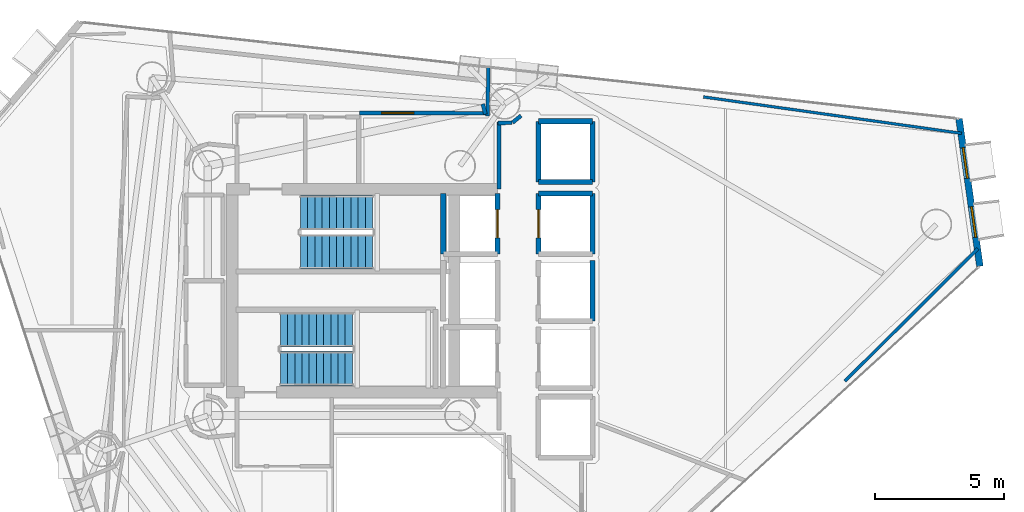
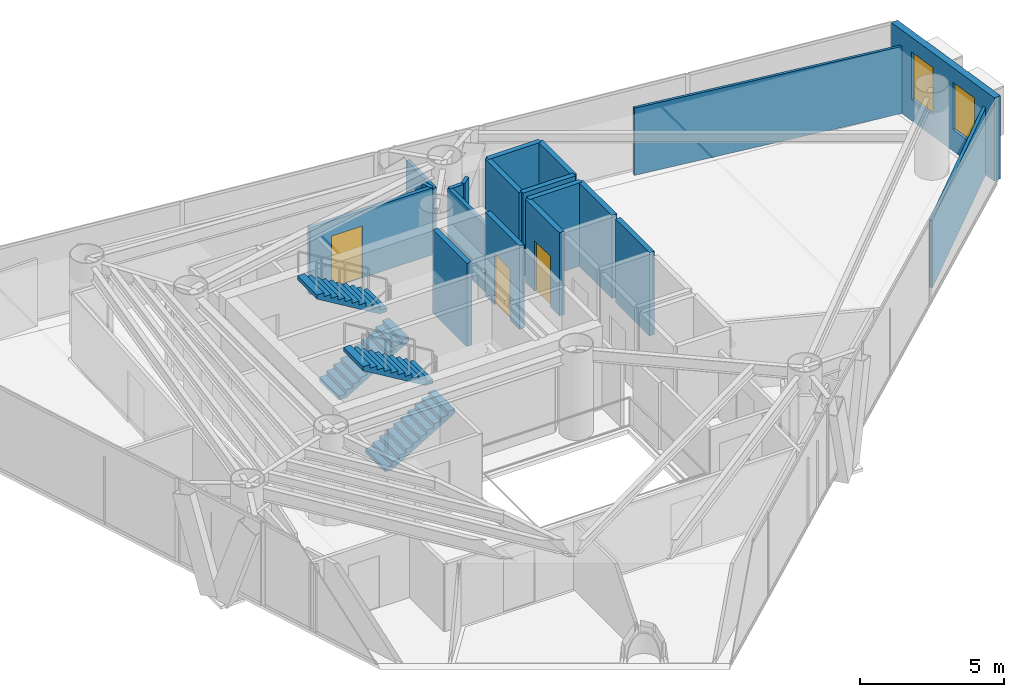
# One storey, part 21 of 24: 19 walls, 4 stair flights, 3 doors, 2 windows, 5 openings, 2 elements without a shape of their own.
"""IFC4 building model written with IfcOpenShell, lengths in metres."""

import ifcopenshell
import ifcopenshell.guid

model = None  # the IFC model being written
_history = None  # IfcOwnerHistory: only IFC2X3 demands one
_inside = {}  # id of a spatial element -> (the spatial element, [elements in it])
_under = {}  # id of a project, library or spatial element -> (it, [spatial elements below it])
_declared = {}  # id of a project -> (the project, [libraries it declares])
_typed = {}  # id of a type object -> (the type object, [elements of that type])
_made_of = {}  # id of a material, layer set ... -> (it, [elements and type objects made of it])


def new_model(schema):
    """Start an empty IFC model of exactly this schema.

    Asked for "IFC4X3", IfcOpenShell would pick the latest addendum, in which some entities
    have other attributes; the version numbers below select the first issue.
    IFC2X3 requires an IfcOwnerHistory on every rooted entity: one is made here for all.
    """
    global model, _history
    if schema == "IFC4X3":
        model = ifcopenshell.file(schema_version=(4, 3, 0, 0))
    else:
        model = ifcopenshell.file(schema=schema)
    _inside.clear()
    _under.clear()
    _declared.clear()
    _typed.clear()
    _made_of.clear()
    _history = None
    if model.schema == "IFC2X3":
        org = make("IfcOrganization", Name="unknown")
        user = make(
            "IfcPersonAndOrganization",
            ThePerson=make("IfcPerson", FamilyName="unknown"),
            TheOrganization=org,
        )
        app = make(
            "IfcApplication",
            ApplicationDeveloper=org,
            Version="unknown",
            ApplicationFullName="unknown",
            ApplicationIdentifier="unknown",
        )
        _history = make(
            "IfcOwnerHistory",
            OwningUser=user,
            OwningApplication=app,
            ChangeAction="ADDED",
            CreationDate=0,
        )
    return model


def make(cls, **values):
    """One entity of the class cls with the attributes given. An attribute that is None is left unset."""
    return model.create_entity(
        cls, **{name: value for name, value in values.items() if value is not None}
    )


def rooted(cls, **values):
    """An entity with a GlobalId (a new one), such as an element, a storey or a relation."""
    return make(cls, GlobalId=ifcopenshell.guid.new(), OwnerHistory=_history, **values)


def si_unit(unit_type, name, prefix=None):
    """IfcSIUnit, for example si_unit("LENGTHUNIT", "METRE", prefix="MILLI")."""
    return make("IfcSIUnit", UnitType=unit_type, Prefix=prefix, Name=name)


def assignment(units):
    """IfcUnitAssignment: the units of a project."""
    return None if units is None else make("IfcUnitAssignment", Units=units)


def point(xyz):
    """IfcCartesianPoint."""
    return None if xyz is None else make("IfcCartesianPoint", Coordinates=xyz)


def direction(xyz):
    """IfcDirection."""
    return None if xyz is None else make("IfcDirection", DirectionRatios=xyz)


def frame(location, z_axis=None, x_axis=None):
    """IfcAxis2Placement3D, a coordinate frame: its origin and axes. An axis left out is left unset."""
    return make(
        "IfcAxis2Placement3D",
        Location=point(location),
        Axis=direction(z_axis),
        RefDirection=direction(x_axis),
    )


def frame_2d(location, x_axis=None):
    """IfcAxis2Placement2D, a coordinate frame in the plane: its origin and x axis."""
    return make(
        "IfcAxis2Placement2D", Location=point(location), RefDirection=direction(x_axis)
    )


def origin():
    """The frame at (0, 0, 0) with its axes left unset."""
    return frame((0.0, 0.0, 0.0))


def place(relative_to, where):
    """IfcLocalPlacement: puts the frame where relative to a parent placement (None: the world)."""
    return make(
        "IfcLocalPlacement", PlacementRelTo=relative_to, RelativePlacement=where
    )


def context(
    kind, dimensions, precision=None, world=None, true_north=None, identifier=None
):
    """IfcGeometricRepresentationContext, for example the 3D "Model" context."""
    return make(
        "IfcGeometricRepresentationContext",
        ContextIdentifier=identifier,
        ContextType=kind,
        CoordinateSpaceDimension=dimensions,
        Precision=precision,
        WorldCoordinateSystem=world,
        TrueNorth=true_north,
    )


def subcontext(parent, identifier, kind, view, scale=None):
    """IfcGeometricRepresentationSubContext, for example "Body" below "Model"."""
    return make(
        "IfcGeometricRepresentationSubContext",
        ContextIdentifier=identifier,
        ContextType=kind,
        ParentContext=parent,
        TargetScale=scale,
        TargetView=view,
    )


def project(units=None, contexts=None):
    """IfcProject with its units and contexts."""
    return rooted(
        "IfcProject",
        Name="project",
        RepresentationContexts=contexts,
        UnitsInContext=assignment(units),
    )


def spatial(cls, under=None, at=None, **own):
    """A site, building, storey or space (cls), placed at a placement, below another one or the project."""
    s = rooted(cls, ObjectPlacement=at, **own)
    if under is not None:
        _under.setdefault(under.id(), (under, []))[1].append(s)
    return s


def polyline(points):
    """IfcPolyline through the points."""
    return make("IfcPolyline", Points=[point(p) for p in points])


def profile(cls, at=None, kind="AREA", **sizes):
    """A parametric profile (cls). Its sizes go by their IFC names, for example OverallWidth=200.0."""
    return make(cls, ProfileType=kind, Position=at, **sizes)


def rectangle(**sizes):
    """IfcRectangleProfileDef."""
    return profile("IfcRectangleProfileDef", **sizes)


def outline(outer, holes=None, kind="AREA"):
    """IfcArbitraryClosedProfileDef: a profile drawn as a closed curve; with holes, ...WithVoids."""
    if holes is None:
        return make("IfcArbitraryClosedProfileDef", ProfileType=kind, OuterCurve=outer)
    return make(
        "IfcArbitraryProfileDefWithVoids",
        ProfileType=kind,
        OuterCurve=outer,
        InnerCurves=holes,
    )


def extrude(swept, where, along, depth):
    """IfcExtrudedAreaSolid: the profile swept, set in the frame where, extruded along a direction by depth."""
    return make(
        "IfcExtrudedAreaSolid",
        SweptArea=swept,
        Position=where,
        ExtrudedDirection=direction(along),
        Depth=depth,
    )


def shape(context_of_items, identifier, shape_type, items):
    """IfcShapeRepresentation: the items that make up one representation, for example the "Body"."""
    return make(
        "IfcShapeRepresentation",
        ContextOfItems=context_of_items,
        RepresentationIdentifier=identifier,
        RepresentationType=shape_type,
        Items=items,
    )


def material(Name=None, Category=None):
    """IfcMaterial."""
    return make("IfcMaterial", Name=Name, Category=Category)


def layer(
    of_material, thickness, ventilated=None, Name=None, Category=None, Priority=None
):
    """IfcMaterialLayer: one layer of a wall or slab, of a material (None: an air gap)."""
    return make(
        "IfcMaterialLayer",
        Material=of_material,
        LayerThickness=thickness,
        IsVentilated=ventilated,
        Name=Name,
        Category=Category,
        Priority=Priority,
    )


def layer_set(layers, Name=None):
    """IfcMaterialLayerSet."""
    return make("IfcMaterialLayerSet", MaterialLayers=layers, LayerSetName=Name)


def made_of(thing, what):
    """Note that an element or type object is made of a material, layer set ...; save() writes the relation."""
    if what is not None:
        _made_of.setdefault(what.id(), (what, []))[1].append(thing)
    return thing


def type_object(cls, material=None, **own):
    """A type object (cls), such as IfcWallType, which elements share."""
    return made_of(rooted(cls, **own), material)


def element(
    cls,
    number,
    at=None,
    inside=None,
    cuts=None,
    type_object=None,
    material=None,
    context=None,
    identifier="Body",
    shape_type=None,
    held_by="IfcProductDefinitionShape",
    body=None,
    shapes=None,
    **own,
):
    """One element of the class cls, such as IfcWall. Its Tag is "e" and its number.

    at: its placement. inside: the storey or other place that contains it. cuts: it is an
    opening in that element (IfcRelVoidsElement). A single representation is given by context,
    identifier, shape_type and body (its items); several are given by shapes. held_by: the class
    of the entity that holds the representations. save() writes the other relations.
    """
    e = rooted(cls, Tag="e%d" % number, ObjectPlacement=at, **own)
    if body is not None:
        shapes = [shape(context, identifier, shape_type, body)]
    if shapes is not None:
        e.Representation = make(held_by, Representations=shapes)
    if inside is not None:
        _inside.setdefault(inside.id(), (inside, []))[1].append(e)
    if cuts is not None:
        rooted(
            "IfcRelVoidsElement", RelatingBuildingElement=cuts, RelatedOpeningElement=e
        )
    if type_object is not None:
        _typed.setdefault(type_object.id(), (type_object, []))[1].append(e)
    return made_of(e, material)


def fill(opening, filler):
    """IfcRelFillsElement: the door or window that sits in an opening."""
    return rooted(
        "IfcRelFillsElement",
        RelatingOpeningElement=opening,
        RelatedBuildingElement=filler,
    )


def aggregate(whole, parts):
    """IfcRelAggregates: a whole, such as a stair, and the parts it consists of."""
    return rooted("IfcRelAggregates", RelatingObject=whole, RelatedObjects=parts)


def save(model, path):
    """Write the relations noted so far, then the file.

    IfcRelAggregates (storeys below a building ...), IfcRelContainedInSpatialStructure (elements
    in a storey), IfcRelDefinesByType, IfcRelAssociatesMaterial and IfcRelDeclares: one each for
    every whole, place, type object, material and project.
    """
    for whole, parts in _under.values():
        aggregate(whole, parts)
    for where, things in _inside.values():
        rooted(
            "IfcRelContainedInSpatialStructure",
            RelatedElements=things,
            RelatingStructure=where,
        )
    for kind, things in _typed.values():
        rooted("IfcRelDefinesByType", RelatedObjects=things, RelatingType=kind)
    for what, things in _made_of.values():
        rooted("IfcRelAssociatesMaterial", RelatedObjects=things, RelatingMaterial=what)
    for by, libraries in _declared.values():
        rooted("IfcRelDeclares", RelatingContext=by, RelatedDefinitions=libraries)
    model.write(path)


model = new_model("IFC4")

# Units and contexts
model_context = context("Model", 3, precision=1e-05, world=origin(), true_north=direction((0.0, 1.0)))
body_context = subcontext(model_context, "Body", "Model", "MODEL_VIEW")
ifc_project = project(units=[si_unit("LENGTHUNIT", "METRE"), si_unit("AREAUNIT", "SQUARE_METRE"), si_unit("VOLUMEUNIT", "CUBIC_METRE"), si_unit("PLANEANGLEUNIT", "RADIAN"), si_unit("MASSUNIT", "GRAM", prefix="KILO")], contexts=[model_context])

# Site, building, storey
site_placement = place(None, origin())
site = spatial("IfcSite", under=ifc_project, at=site_placement, CompositionType="ELEMENT")
building_placement = place(site_placement, origin())
building = spatial("IfcBuilding", under=site, at=building_placement, Name="Qianvela Tower", CompositionType="ELEMENT")
storey_placement = place(building_placement, frame((0.0, 0.0, 222.5)))
storey = spatial("IfcBuildingStorey", under=building, at=storey_placement, Name="L57", CompositionType="ELEMENT", Elevation=222.5)

# Wall, openings, windows
ifc_material_1 = material(Name="Terracotta Cladding on Concrete C40", Category="masonry")
ifc_layer_1 = layer(ifc_material_1, 0.260009765625)
ifc_layer_set_1 = layer_set([ifc_layer_1], Name="Terracotta Cladding on Concrete C40")
wall_type_1 = type_object("IfcWallType", Name="TERRACOTTA-WALL-260", PredefinedType="SOLIDWALL", material=ifc_layer_set_1)
wall_1_placement = place(storey_placement, frame((58.59033203125, 29.651611328125, 0.0), z_axis=(0.0, 0.0, 1.0), x_axis=(-0.140126396411, 0.990133623825, 0.0)))
wall_1 = element("IfcWall", 1, at=wall_1_placement, inside=storey, type_object=wall_type_1, Name="L57 Terracotta Chamfer Facet Wall 1", PredefinedType="SOLIDWALL", context=body_context, shape_type="SweptSolid", body=[
    extrude(rectangle(XDim=5.781005859375, YDim=0.260009765625, at=frame_2d((2.890625, 0.0))), origin(), (0.0, 0.0, 1.0), 3.52001953125),
])
opening_1_placement = place(wall_1_placement, frame((1.13427734375, 0.0, 0.89990234375)))
opening_1 = element("IfcOpeningElement", 2, at=opening_1_placement, cuts=wall_1, Name="Opening W-03", PredefinedType="OPENING", context=body_context, shape_type="SweptSolid", body=[
    extrude(rectangle(XDim=1.199951171875, YDim=2.0, at=frame_2d((0.60009765625, 1.0))), frame((0.0, 0.139892578125, 0.0), z_axis=(0.0, -1.0, 0.0), x_axis=(1.0, 0.0, 0.0)), (0.0, 0.0, 1.0), 0.280029296875),
])
opening_2_placement = place(wall_1_placement, frame((3.446533203125, 0.0, 0.89990234375)))
opening_2 = element("IfcOpeningElement", 3, at=opening_2_placement, cuts=wall_1, Name="Opening W-03", PredefinedType="OPENING", context=body_context, shape_type="SweptSolid", body=[
    extrude(rectangle(XDim=1.199951171875, YDim=2.0, at=frame_2d((0.60009765625, 1.0))), frame((0.0, 0.139892578125, 0.0), z_axis=(0.0, -1.0, 0.0), x_axis=(1.0, 0.0, 0.0)), (0.0, 0.0, 1.0), 0.280029296875),
])
ifc_material_2 = material(Name="Thermally Broken Aluminium and Low-E Glass", Category="aluminium")
window_type = type_object("IfcWindowType", Name="WIN-TC-1200x2000", PartitioningType="SINGLE_PANEL", PredefinedType="WINDOW", material=ifc_material_2)
window_1_placement = place(opening_1_placement, origin())
window_1 = element("IfcWindow", 4, at=window_1_placement, inside=storey, type_object=window_type, Name="L57 Chamfer Facet Window 1.1", OverallHeight=2.0, OverallWidth=1.199951171875, PartitioningType="SINGLE_PANEL", PredefinedType="WINDOW", context=body_context, shape_type="SweptSolid", body=[
    extrude(rectangle(XDim=1.199951171875, YDim=2.0, at=frame_2d((0.60009765625, 1.0))), frame((0.0, 0.030029296875, 0.0), z_axis=(0.0, -1.0, 0.0), x_axis=(1.0, 0.0, 0.0)), (0.0, 0.0, 1.0), 0.06005859375),
])
fill(opening_1, window_1)
window_2_placement = place(opening_2_placement, origin())
window_2 = element("IfcWindow", 5, at=window_2_placement, inside=storey, type_object=window_type, Name="L57 Chamfer Facet Window 1.2", OverallHeight=2.0, OverallWidth=1.199951171875, PartitioningType="SINGLE_PANEL", PredefinedType="WINDOW", context=body_context, shape_type="SweptSolid", body=[
    extrude(rectangle(XDim=1.199951171875, YDim=2.0, at=frame_2d((0.60009765625, 1.0))), frame((0.0, 0.030029296875, 0.0), z_axis=(0.0, -1.0, 0.0), x_axis=(1.0, 0.0, 0.0)), (0.0, 0.0, 1.0), 0.06005859375),
])
fill(opening_2, window_2)

# Walls
ifc_material_3 = material(Name="Fire-Rated Acoustic Gypsum Board")
ifc_layer_2 = layer(ifc_material_3, 0.14990234375)
ifc_layer_set_2 = layer_set([ifc_layer_2], Name="Fire-Rated Acoustic Gypsum Board")
wall_type_2 = type_object("IfcWallType", Name="WT-CORR-150", PredefinedType="PARTITIONING", material=ifc_layer_set_2)
wall_2_placement = place(storey_placement, frame((39.910888671875, 32.639892578125, 0.0), z_axis=(0.0, 0.0, 1.0), x_axis=(0.0, 1.0, 0.0)))
element("IfcWall", 6, at=wall_2_placement, inside=storey, type_object=wall_type_2, Name="L57 Partition 12", PredefinedType="PARTITIONING", context=body_context, shape_type="SweptSolid", body=[
    extrude(rectangle(XDim=2.60400390625, YDim=0.14990234375, at=frame_2d((1.302001953125, 0.0))), origin(), (0.0, 0.0, 1.0), 2.840087890625),
])
wall_3_placement = place(storey_placement, frame((39.880615234375, 35.212890625, 0.0), z_axis=(0.0, 0.0, 1.0), x_axis=(0.999756500784, 0.02206669754, 0.0)))
element("IfcWall", 7, at=wall_3_placement, inside=storey, type_object=wall_type_2, Name="L57 Partition 13", PredefinedType="PARTITIONING", context=body_context, shape_type="SweptSolid", body=[
    extrude(rectangle(XDim=0.542236328125, YDim=0.14990234375, at=frame_2d((0.27099609375, 0.0))), origin(), (0.0, 0.0, 1.0), 2.840087890625),
])
wall_4_placement = place(storey_placement, frame((40.44140625, 35.231689453125, 0.0), z_axis=(0.0, 0.0, 1.0), x_axis=(0.778714564707, 0.627378376033, 0.0)))
element("IfcWall", 8, at=wall_4_placement, inside=storey, type_object=wall_type_2, Name="L57 Partition 14", PredefinedType="PARTITIONING", context=body_context, shape_type="SweptSolid", body=[
    extrude(rectangle(XDim=0.421142578125, YDim=0.14990234375, at=frame_2d((0.21044921875, 0.0))), origin(), (0.0, 0.0, 1.0), 2.840087890625),
])
wall_5_placement = place(storey_placement, frame((39.281005859375, 35.949951171875, 0.0), z_axis=(0.0, 0.0, 1.0), x_axis=(0.260610646634, -0.965443986392, 0.0)))
element("IfcWall", 9, at=wall_5_placement, inside=storey, type_object=wall_type_2, Name="L57 Partition 53", PredefinedType="PARTITIONING", context=body_context, shape_type="SweptSolid", body=[
    extrude(rectangle(XDim=0.412109375, YDim=0.14990234375, at=frame_2d((0.2060546875, 0.0))), origin(), (0.0, 0.0, 1.0), 2.840087890625),
])

# Wall, opening, door
wall_6_placement = place(storey_placement, frame((39.41845703125, 35.591064453125, 0.0), z_axis=(0.0, 0.0, 1.0), x_axis=(-0.999997505315, 0.002233688461, 0.0)))
wall_6 = element("IfcWall", 10, at=wall_6_placement, inside=storey, type_object=wall_type_2, Name="L57 Partition 54 seg 1", PredefinedType="PARTITIONING", context=body_context, shape_type="SweptSolid", body=[
    extrude(rectangle(XDim=4.91845703125, YDim=0.14990234375, at=frame_2d((2.459228515625, 0.0))), origin(), (0.0, 0.0, 1.0), 2.840087890625),
])
opening_3_placement = place(wall_6_placement, frame((2.814208984375, 0.0, 0.0)))
opening_3 = element("IfcOpeningElement", 11, at=opening_3_placement, cuts=wall_6, Name="Opening D-LG1", PredefinedType="OPENING", context=body_context, shape_type="SweptSolid", body=[
    extrude(rectangle(XDim=1.25, YDim=2.199951171875, at=frame_2d((0.625, 1.10009765625))), frame((0.0, 0.0849609375, 0.0), z_axis=(0.0, -1.0, 0.0), x_axis=(1.0, 0.0, 0.0)), (0.0, 0.0, 1.0), 0.169921875),
])
ifc_material_4 = material(Name="Anodised Aluminium Acoustic Glass Door", Category="aluminium")
door_type_1 = type_object("IfcDoorType", Name="DT-LOUNGE-1250", OperationType="NOTDEFINED", PredefinedType="DOOR", material=ifc_material_4)
door_1_placement = place(opening_3_placement, origin())
door_1 = element("IfcDoor", 12, at=door_1_placement, inside=storey, type_object=door_type_1, Name="L57 Door Stationery Supply Boutique L57-05 to L57 Floor Corridor", OperationType="SINGLE_SWING_LEFT", OverallHeight=2.199951171875, OverallWidth=1.25, PredefinedType="DOOR", context=body_context, shape_type="SweptSolid", body=[
    extrude(rectangle(XDim=1.25, YDim=2.199951171875, at=frame_2d((0.625, 1.10009765625))), frame((0.0, 0.02490234375, 0.0), z_axis=(0.0, -1.0, 0.0), x_axis=(1.0, 0.0, 0.0)), (0.0, 0.0, 1.0), 0.050048828125),
])
fill(opening_3, door_1)

# Walls
ifc_material_5 = material(Name="Lightweight Gypsum Room Partition")
ifc_layer_3 = layer(ifc_material_5, 0.10498046875)
ifc_layer_set_3 = layer_set([ifc_layer_3], Name="Lightweight Gypsum Room Partition")
wall_type_3 = type_object("IfcWallType", Name="WT-PART-105", PredefinedType="PARTITIONING", material=ifc_layer_set_3)
wall_7_placement = place(storey_placement, frame((47.8505859375, 36.225341796875, 0.0), z_axis=(0.0, 0.0, 1.0), x_axis=(0.990189571412, -0.139730500133, 0.0)))
element("IfcWall", 13, at=wall_7_placement, inside=storey, type_object=wall_type_3, Name="L57 Partition 145 seg 2", PredefinedType="PARTITIONING", context=body_context, shape_type="SweptSolid", body=[
    extrude(rectangle(XDim=10.128662109375, YDim=0.10498046875, at=frame_2d((5.064453125, 0.0))), origin(), (0.0, 0.0, 1.0), 2.840087890625),
])
ifc_material_6 = material(Name="Insulated Gypsum Stud Partition")
ifc_layer_4 = layer(ifc_material_6, 0.1201171875)
ifc_layer_set_4 = layer_set([ifc_layer_4], Name="Insulated Gypsum Stud Partition")
wall_type_4 = type_object("IfcWallType", Name="WT-PART-120", PredefinedType="PARTITIONING", material=ifc_layer_set_4)
wall_8_placement = place(storey_placement, frame((58.51171875, 30.326171875, 0.0), z_axis=(0.0, 0.0, 1.0), x_axis=(-0.708612433197, -0.705597916323, 0.0)))
element("IfcWall", 14, at=wall_8_placement, inside=storey, type_object=wall_type_4, Name="L57 Partition 147 seg 1", PredefinedType="PARTITIONING", context=body_context, shape_type="SweptSolid", body=[
    extrude(rectangle(XDim=7.2890625, YDim=0.1201171875, at=frame_2d((3.64453125, 0.0))), origin(), (0.0, 0.0, 1.0), 2.840087890625),
])
ifc_material_7 = material(Name="Acoustic Double Gypsum Stud Partition")
ifc_layer_5 = layer(ifc_material_7, 0.139892578125)
ifc_layer_set_5 = layer_set([ifc_layer_5], Name="Acoustic Double Gypsum Stud Partition")
wall_type_5 = type_object("IfcWallType", Name="WT-ROOM-140", PredefinedType="PARTITIONING", material=ifc_layer_set_5)
wall_9_placement = place(storey_placement, frame((39.464599609375, 35.48095703125, 0.0), z_axis=(0.0, 0.0, 1.0), x_axis=(0.019922431781, 0.999801528661, 0.0)))
element("IfcWall", 15, at=wall_9_placement, inside=storey, type_object=wall_type_5, Name="L57 Partition 143", PredefinedType="PARTITIONING", context=body_context, shape_type="SweptSolid", body=[
    extrude(rectangle(XDim=1.924072265625, YDim=0.139892578125, at=frame_2d((0.9619140625, 0.0))), origin(), (0.0, 0.0, 1.0), 2.840087890625),
])

# Wall, opening, door
ifc_material_8 = material(Name="Concrete C50", Category="concrete")
ifc_layer_6 = layer(ifc_material_8, 0.199951171875)
ifc_layer_set_6 = layer_set([ifc_layer_6], Name="Concrete C50")
wall_type_6 = type_object("IfcWallType", Name="WT-SHAFT-200", PredefinedType="SOLIDWALL", material=ifc_layer_set_6)
wall_10_placement = place(storey_placement, frame((39.85009765625, 30.1201171875, 0.0), z_axis=(0.0, 0.0, 1.0), x_axis=(0.0, 1.0, 0.0)))
wall_10 = element("IfcWall", 16, at=wall_10_placement, inside=storey, type_object=wall_type_6, Name="L57 Lift FL-1 E Shaft Wall", PredefinedType="SOLIDWALL", context=body_context, shape_type="SweptSolid", body=[
    extrude(rectangle(XDim=2.35986328125, YDim=0.199951171875, at=frame_2d((1.179931640625, 0.0))), origin(), (0.0, 0.0, 1.0), 3.52001953125),
])
opening_4_placement = place(wall_10_placement, frame((0.6298828125, 0.0, 0.0)))
opening_4 = element("IfcOpeningElement", 17, at=opening_4_placement, cuts=wall_10, Name="Opening LD-01", PredefinedType="OPENING", context=body_context, shape_type="SweptSolid", body=[
    extrude(rectangle(XDim=1.10009765625, YDim=2.14990234375, at=frame_2d((0.550048828125, 1.074951171875))), frame((0.0, 0.10986328125, 0.0), z_axis=(0.0, -1.0, 0.0), x_axis=(1.0, 0.0, 0.0)), (0.0, 0.0, 1.0), 0.219970703125),
])
ifc_material_9 = material(Name="Brushed Stainless Steel Lift Landing Door", Category="steel")
door_type_2 = type_object("IfcDoorType", Name="DT-LIFT-SLIDE-1100", OperationType="SLIDING_TO_LEFT", PredefinedType="DOOR", material=ifc_material_9)
door_2_placement = place(opening_4_placement, origin())
door_2 = element("IfcDoor", 18, at=door_2_placement, inside=storey, type_object=door_type_2, Name="L57 Lift FL-1 Sliding Landing Door", OperationType="SLIDING_TO_LEFT", OverallHeight=2.14990234375, OverallWidth=1.10009765625, PredefinedType="DOOR", context=body_context, shape_type="SweptSolid", body=[
    extrude(rectangle(XDim=1.10009765625, YDim=2.14990234375, at=frame_2d((0.550048828125, 1.074951171875))), frame((0.0, 0.02490234375, 0.0), z_axis=(0.0, -1.0, 0.0), x_axis=(1.0, 0.0, 0.0)), (0.0, 0.0, 1.0), 0.050048828125),
])
fill(opening_4, door_2)

# Walls
for number, where, z_axis, x_axis, name in (
    (19, (37.75, 30.1201171875, 0.0), (0.0, 0.0, 1.0), (0.0, 1.0, 0.0), "L57 Lift FL-1 W Shaft Wall"),
    (20, (43.550048828125, 30.1201171875, 0.0), (0.0, 0.0, 1.0), (0.0, 1.0, 0.0), "L57 Lift PL-M1 E Shaft Wall"),
):
    element("IfcWall", number, at=place(storey_placement, frame(where, z_axis=z_axis, x_axis=x_axis)), inside=storey, type_object=wall_type_6, Name=name, PredefinedType="SOLIDWALL", context=body_context, shape_type="SweptSolid", body=[
        extrude(rectangle(XDim=2.35986328125, YDim=0.199951171875, at=frame_2d((1.179931640625, 0.0))), origin(), (0.0, 0.0, 1.0), 3.52001953125),
    ])

# Wall, opening, door
wall_11_placement = place(storey_placement, frame((41.449951171875, 30.1201171875, 0.0), z_axis=(0.0, 0.0, 1.0), x_axis=(0.0, 1.0, 0.0)))
wall_11 = element("IfcWall", 21, at=wall_11_placement, inside=storey, type_object=wall_type_6, Name="L57 Lift PL-M1 W Shaft Wall", PredefinedType="SOLIDWALL", context=body_context, shape_type="SweptSolid", body=[
    extrude(rectangle(XDim=2.35986328125, YDim=0.199951171875, at=frame_2d((1.179931640625, 0.0))), origin(), (0.0, 0.0, 1.0), 3.52001953125),
])
opening_5_placement = place(wall_11_placement, frame((0.6298828125, 0.0, 0.0)))
opening_5 = element("IfcOpeningElement", 22, at=opening_5_placement, cuts=wall_11, Name="Opening LD-01", PredefinedType="OPENING", context=body_context, shape_type="SweptSolid", body=[
    extrude(rectangle(XDim=1.10009765625, YDim=2.14990234375, at=frame_2d((0.550048828125, 1.074951171875))), frame((0.0, 0.10986328125, 0.0), z_axis=(0.0, -1.0, 0.0), x_axis=(1.0, 0.0, 0.0)), (0.0, 0.0, 1.0), 0.219970703125),
])
door_3_placement = place(opening_5_placement, origin())
door_3 = element("IfcDoor", 23, at=door_3_placement, inside=storey, type_object=door_type_2, Name="L57 Lift PL-M1 Sliding Landing Door", OperationType="SLIDING_TO_LEFT", OverallHeight=2.14990234375, OverallWidth=1.10009765625, PredefinedType="DOOR", context=body_context, shape_type="SweptSolid", body=[
    extrude(rectangle(XDim=1.10009765625, YDim=2.14990234375, at=frame_2d((0.550048828125, 1.074951171875))), frame((0.0, 0.02490234375, 0.0), z_axis=(0.0, -1.0, 0.0), x_axis=(1.0, 0.0, 0.0)), (0.0, 0.0, 1.0), 0.050048828125),
])
fill(opening_5, door_3)

# Walls
wall_12_placement = place(storey_placement, frame((41.449951171875, 32.47998046875, 0.0), z_axis=(0.0, 0.0, 1.0), x_axis=(1.0, 0.0, 0.0)))
element("IfcWall", 24, at=wall_12_placement, inside=storey, type_object=wall_type_6, Name="L57 Lift PL-M1 N Shaft Wall", PredefinedType="SOLIDWALL", context=body_context, shape_type="SweptSolid", body=[
    extrude(rectangle(XDim=2.10009765625, YDim=0.199951171875, at=frame_2d((1.050048828125, 0.0))), origin(), (0.0, 0.0, 1.0), 3.52001953125),
])
wall_13_placement = place(storey_placement, frame((43.550048828125, 27.52001953125, 0.0), z_axis=(0.0, 0.0, 1.0), x_axis=(0.0, 1.0, 0.0)))
element("IfcWall", 25, at=wall_13_placement, inside=storey, type_object=wall_type_6, Name="L57 Lift PL-M2 E Shaft Wall", PredefinedType="SOLIDWALL", context=body_context, shape_type="SweptSolid", body=[
    extrude(rectangle(XDim=2.35986328125, YDim=0.199951171875, at=frame_2d((1.179931640625, 0.0))), origin(), (0.0, 0.0, 1.0), 3.52001953125),
])
for number, where, z_axis, x_axis, name in (
    (26, (43.550048828125, 32.919921875, 0.0), (0.0, 0.0, 1.0), (0.0, 1.0, 0.0), "L57 Lift PL-H3 E Shaft Wall"),
    (27, (41.449951171875, 32.919921875, 0.0), (0.0, 0.0, 1.0), (0.0, 1.0, 0.0), "L57 Lift PL-H3 W Shaft Wall"),
):
    element("IfcWall", number, at=place(storey_placement, frame(where, z_axis=z_axis, x_axis=x_axis)), inside=storey, type_object=wall_type_6, Name=name, PredefinedType="SOLIDWALL", context=body_context, shape_type="SweptSolid", body=[
        extrude(rectangle(XDim=2.360107421875, YDim=0.199951171875, at=frame_2d((1.18017578125, 0.0))), origin(), (0.0, 0.0, 1.0), 3.52001953125),
    ])
for number, where, z_axis, x_axis, name in (
    (28, (41.449951171875, 35.280029296875, 0.0), (0.0, 0.0, 1.0), (1.0, 0.0, 0.0), "L57 Lift PL-H3 N Shaft Wall"),
    (29, (41.449951171875, 32.919921875, 0.0), (0.0, 0.0, 1.0), (1.0, 0.0, 0.0), "L57 Lift PL-H3 S Shaft Wall"),
):
    element("IfcWall", number, at=place(storey_placement, frame(where, z_axis=z_axis, x_axis=x_axis)), inside=storey, type_object=wall_type_6, Name=name, PredefinedType="SOLIDWALL", context=body_context, shape_type="SweptSolid", body=[
        extrude(rectangle(XDim=2.10009765625, YDim=0.199951171875, at=frame_2d((1.050048828125, 0.0))), origin(), (0.0, 0.0, 1.0), 3.52001953125),
    ])

# Stair, stair flights
ifc_material_10 = material(Name="Concrete C40", Category="concrete")
stair_type = type_object("IfcStairType", Name="ST-DOGLEG-1350-R168-N22", PredefinedType="HALF_TURN_STAIR", material=ifc_material_10)
stair_1_placement = place(storey_placement, origin())
stair_1 = element("IfcStair", 30, at=stair_1_placement, inside=storey, type_object=stair_type, Name="L57 Smoke-Proof Core Stair ST-1", PredefinedType="HALF_TURN_STAIR")
ifc_material_11 = material(Name="Concrete C40", Category="concrete")
stair_flight_type = type_object("IfcStairFlightType", Name="STF-STRAIGHT-R168-P11", PredefinedType="STRAIGHT", material=ifc_material_11)
stair_flight_1_placement = place(storey_placement, frame((32.199951171875, 30.215087890625, 0.0), z_axis=(0.0, 0.0, 1.0), x_axis=(1.0, 0.0, 0.0)))
stair_flight_1 = element("IfcStairFlight", 31, at=stair_flight_1_placement, type_object=stair_flight_type, Name="ST-1 flight 1", NumberOfRisers=11, NumberOfTreads=10, PredefinedType="STRAIGHT", RiserHeight=0.168181818, TreadLength=0.28, context=body_context, shape_type="SweptSolid", body=[
    extrude(outline(polyline([(0.0, 0.0), (0.0, 0.168212890625), (0.280029296875, 0.168212890625), (0.280029296875, 0.33642578125), (0.56005859375, 0.33642578125), (0.56005859375, 0.504638671875), (0.840087890625, 0.504638671875), (0.840087890625, 0.672607421875), (1.1201171875, 0.672607421875), (1.1201171875, 0.8408203125), (1.39990234375, 0.8408203125), (1.39990234375, 1.009033203125), (1.679931640625, 1.009033203125), (1.679931640625, 1.17724609375), (1.9599609375, 1.17724609375), (1.9599609375, 1.345458984375), (2.239990234375, 1.345458984375), (2.239990234375, 1.513671875), (2.52001953125, 1.513671875), (2.52001953125, 1.681884765625), (2.800048828125, 1.681884765625), (2.800048828125, 1.85009765625), (2.800048828125, 1.5068359375), (0.291015625, 0.0), (0.0, 0.0)])), frame((0.0, 0.675048828125, 0.0), z_axis=(0.0, -1.0, 0.0), x_axis=(1.0, 0.0, 0.0)), (0.0, 0.0, 1.0), 1.35009765625),
])
stair_flight_2_placement = place(storey_placement, frame((35.0, 31.72509765625, 1.85009765625), z_axis=(0.0, 0.0, 1.0), x_axis=(-1.0, 0.0, 0.0)))
stair_flight_2 = element("IfcStairFlight", 32, at=stair_flight_2_placement, type_object=stair_flight_type, Name="ST-1 flight 2", NumberOfRisers=11, NumberOfTreads=10, PredefinedType="STRAIGHT", RiserHeight=0.168181818, TreadLength=0.28, context=body_context, shape_type="SweptSolid", body=[
    extrude(outline(polyline([(0.0, 0.0), (0.0, 0.168212890625), (0.280029296875, 0.168212890625), (0.280029296875, 0.33642578125), (0.56005859375, 0.33642578125), (0.56005859375, 0.504638671875), (0.840087890625, 0.504638671875), (0.840087890625, 0.672607421875), (1.1201171875, 0.672607421875), (1.1201171875, 0.8408203125), (1.39990234375, 0.8408203125), (1.39990234375, 1.009033203125), (1.679931640625, 1.009033203125), (1.679931640625, 1.17724609375), (1.9599609375, 1.17724609375), (1.9599609375, 1.345458984375), (2.239990234375, 1.345458984375), (2.239990234375, 1.513671875), (2.52001953125, 1.513671875), (2.52001953125, 1.681884765625), (2.800048828125, 1.681884765625), (2.800048828125, 1.85009765625), (2.800048828125, 1.5068359375), (0.291015625, 0.0), (0.0, 0.0)])), frame((0.0, 0.675048828125, 0.0), z_axis=(0.0, -1.0, 0.0), x_axis=(1.0, 0.0, 0.0)), (0.0, 0.0, 1.0), 1.35009765625),
])
aggregate(stair_1, [stair_flight_1, stair_flight_2])

stair_2_placement = place(storey_placement, origin())
stair_2 = element("IfcStair", 33, at=stair_2_placement, inside=storey, type_object=stair_type, Name="L57 Smoke-Proof Core Stair ST-2", PredefinedType="HALF_TURN_STAIR")
stair_flight_3_placement = place(storey_placement, frame((31.419921875, 25.675048828125, 0.0), z_axis=(0.0, 0.0, 1.0), x_axis=(1.0, 0.0, 0.0)))
stair_flight_3 = element("IfcStairFlight", 34, at=stair_flight_3_placement, type_object=stair_flight_type, Name="ST-2 flight 1", NumberOfRisers=11, NumberOfTreads=10, PredefinedType="STRAIGHT", RiserHeight=0.168181818, TreadLength=0.28, context=body_context, shape_type="SweptSolid", body=[
    extrude(outline(polyline([(0.0, 0.0), (0.0, 0.168212890625), (0.280029296875, 0.168212890625), (0.280029296875, 0.33642578125), (0.56005859375, 0.33642578125), (0.56005859375, 0.504638671875), (0.840087890625, 0.504638671875), (0.840087890625, 0.672607421875), (1.1201171875, 0.672607421875), (1.1201171875, 0.8408203125), (1.39990234375, 0.8408203125), (1.39990234375, 1.009033203125), (1.679931640625, 1.009033203125), (1.679931640625, 1.17724609375), (1.9599609375, 1.17724609375), (1.9599609375, 1.345458984375), (2.239990234375, 1.345458984375), (2.239990234375, 1.513671875), (2.52001953125, 1.513671875), (2.52001953125, 1.681884765625), (2.800048828125, 1.681884765625), (2.800048828125, 1.85009765625), (2.800048828125, 1.5068359375), (0.291015625, 0.0), (0.0, 0.0)])), frame((0.0, 0.675048828125, 0.0), z_axis=(0.0, -1.0, 0.0), x_axis=(1.0, 0.0, 0.0)), (0.0, 0.0, 1.0), 1.35009765625),
])
stair_flight_4_placement = place(storey_placement, frame((34.219970703125, 27.18505859375, 1.85009765625), z_axis=(0.0, 0.0, 1.0), x_axis=(-1.0, 0.0, 0.0)))
stair_flight_4 = element("IfcStairFlight", 35, at=stair_flight_4_placement, type_object=stair_flight_type, Name="ST-2 flight 2", NumberOfRisers=11, NumberOfTreads=10, PredefinedType="STRAIGHT", RiserHeight=0.168181818, TreadLength=0.28, context=body_context, shape_type="SweptSolid", body=[
    extrude(outline(polyline([(0.0, 0.0), (0.0, 0.168212890625), (0.280029296875, 0.168212890625), (0.280029296875, 0.33642578125), (0.56005859375, 0.33642578125), (0.56005859375, 0.504638671875), (0.840087890625, 0.504638671875), (0.840087890625, 0.672607421875), (1.1201171875, 0.672607421875), (1.1201171875, 0.8408203125), (1.39990234375, 0.8408203125), (1.39990234375, 1.009033203125), (1.679931640625, 1.009033203125), (1.679931640625, 1.17724609375), (1.9599609375, 1.17724609375), (1.9599609375, 1.345458984375), (2.239990234375, 1.345458984375), (2.239990234375, 1.513671875), (2.52001953125, 1.513671875), (2.52001953125, 1.681884765625), (2.800048828125, 1.681884765625), (2.800048828125, 1.85009765625), (2.800048828125, 1.5068359375), (0.291015625, 0.0), (0.0, 0.0)])), frame((0.0, 0.675048828125, 0.0), z_axis=(0.0, -1.0, 0.0), x_axis=(1.0, 0.0, 0.0)), (0.0, 0.0, 1.0), 1.35009765625),
])
aggregate(stair_2, [stair_flight_3, stair_flight_4])

save(model, "model.ifc")
